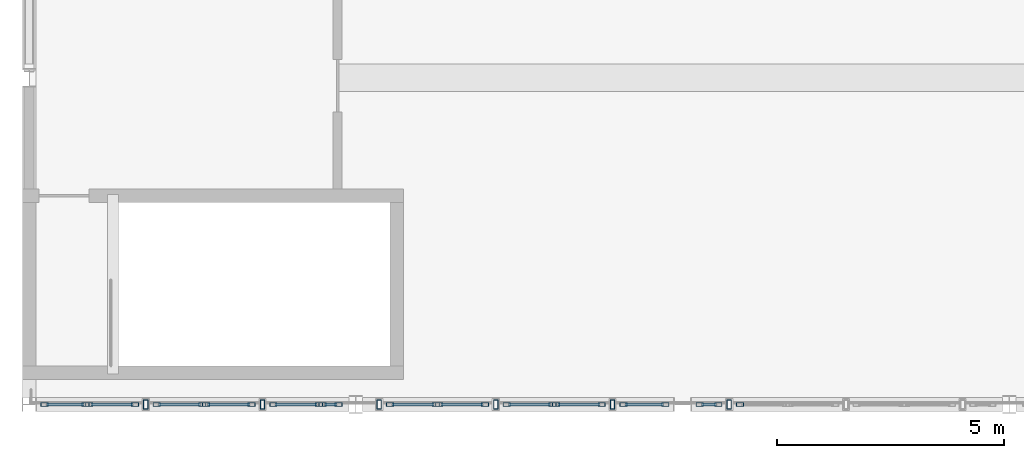
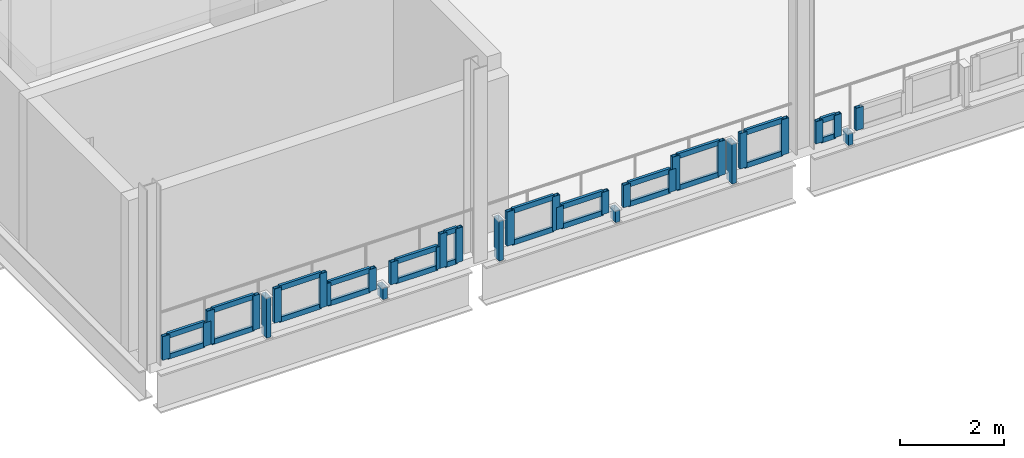
# One storey, part 5 of 20: 55 members, 13 elements without a shape of their own.
"""IFC4 building model written with IfcOpenShell, lengths in metres."""

from ifc_helpers import new_model, si_unit, direction, frame, origin, origin_2d, place, context, subcontext, project, spatial, hollow_rectangle, extrude, material, layer, layer_set, material_profile, profile_set, type_object, element, aggregate, save


model = new_model("IFC4")

# Units and contexts
model_context = context("Model", 3, precision=1e-05, world=origin(), true_north=direction((0.0, 1.0)))
body_context = subcontext(model_context, "Body", "Model", "MODEL_VIEW")
ifc_project = project(units=[si_unit("LENGTHUNIT", "METRE"), si_unit("AREAUNIT", "SQUARE_METRE"), si_unit("VOLUMEUNIT", "CUBIC_METRE"), si_unit("PLANEANGLEUNIT", "RADIAN"), si_unit("MASSUNIT", "GRAM", prefix="KILO"), si_unit("THERMODYNAMICTEMPERATUREUNIT", "KELVIN"), si_unit("POWERUNIT", "WATT")], contexts=[model_context])

# Site, building, storey
site_placement = place(None, origin())
site = spatial("IfcSite", under=ifc_project, at=site_placement, CompositionType="ELEMENT")
building_placement = place(site_placement, origin())
building = spatial("IfcBuilding", under=site, at=building_placement, Name="Kaldorven Railside Theatre", CompositionType="ELEMENT")
storey_placement = place(building_placement, frame((0.0, 0.0, 23.10009765625)))
storey = spatial("IfcBuildingStorey", under=building, at=storey_placement, Name="L05", CompositionType="ELEMENT", Elevation=23.10009765625)

# Curtain wall, members
ifc_material_1 = material(Name="Low-E laminated solar-control glass", Category="glass")
ifc_layer_1 = layer(ifc_material_1, 0.159912109375, Name="Low-E laminated solar-control glass")
ifc_layer_set_1 = layer_set([ifc_layer_1], Name="Low-E laminated solar-control glass")
curtain_wall_type_1 = type_object("IfcCurtainWallType", Name="CWT-41", PredefinedType="USERDEFINED", material=ifc_layer_set_1)
curtain_wall_1_placement = place(storey_placement, origin())
curtain_wall_1 = element("IfcCurtainWall", 1, at=curtain_wall_1_placement, inside=storey, type_object=curtain_wall_type_1, Name="Main Theatre North Ridge Clerestory CWG-033", ObjectType="FLUTED GLAZING", PredefinedType="USERDEFINED")
ifc_material_2 = material(Name="Anodised bronze aluminium", Category="aluminium")
ifc_material_profile_1 = material_profile(ifc_material_2, hollow_rectangle(XDim=0.080078125, YDim=0.159912109375, WallThickness=0.00634765625, at=origin_2d()), Name="RHS 160x80x6.3")
ifc_profile_set_1 = profile_set([ifc_material_profile_1], Name="Anodised bronze aluminium")
member_type_1 = type_object("IfcMemberType", Name="CWM-160", PredefinedType="MULLION", material=ifc_profile_set_1)
member_1_placement = place(storey_placement, frame((87.540283203125, 84.0, 0.02001953125), z_axis=(0.0, 0.0, 1.0), x_axis=(0.0, 1.0, 0.0)))
member_1 = element("IfcMember", 2, at=member_1_placement, type_object=member_type_1, Name="CWG-033 mullion 1", PredefinedType="MULLION", context=body_context, shape_type="SweptSolid", body=[
    extrude(hollow_rectangle(XDim=0.080078125, YDim=0.159912109375, WallThickness=0.00634765625, at=origin_2d()), origin(), (0.0, 0.0, 1.0), 0.5498046875),
])
member_2_placement = place(storey_placement, frame((88.44580078125, 84.0, 0.02001953125), z_axis=(0.0, 0.0, 1.0), x_axis=(0.0, 1.0, 0.0)))
member_2 = element("IfcMember", 3, at=member_2_placement, type_object=member_type_1, Name="CWG-033 mullion 2", PredefinedType="MULLION", context=body_context, shape_type="SweptSolid", body=[
    extrude(hollow_rectangle(XDim=0.080078125, YDim=0.159912109375, WallThickness=0.00634765625, at=origin_2d()), origin(), (0.0, 0.0, 1.0), 0.5498046875),
])

ifc_layer_2 = layer(ifc_material_1, 0.159912109375, Name="Low-E laminated solar-control glass")
ifc_layer_set_2 = layer_set([ifc_layer_2], Name="Low-E laminated solar-control glass")
curtain_wall_type_2 = type_object("IfcCurtainWallType", Name="CWT-42", PredefinedType="USERDEFINED", material=ifc_layer_set_2)
curtain_wall_2_placement = place(storey_placement, origin())
curtain_wall_2 = element("IfcCurtainWall", 4, at=curtain_wall_2_placement, inside=storey, type_object=curtain_wall_type_2, Name="Main Theatre North Ridge Clerestory CWG-034", ObjectType="FLUTED GLAZING", PredefinedType="USERDEFINED")
member_3_placement = place(storey_placement, frame((88.525634765625, 84.0, 0.02001953125), z_axis=(0.0, 0.0, 1.0), x_axis=(0.0, 1.0, 0.0)))
member_3 = element("IfcMember", 5, at=member_3_placement, type_object=member_type_1, Name="CWG-034 mullion 1", PredefinedType="MULLION", context=body_context, shape_type="SweptSolid", body=[
    extrude(hollow_rectangle(XDim=0.080078125, YDim=0.159912109375, WallThickness=0.00634765625, at=origin_2d()), origin(), (0.0, 0.0, 1.0), 0.7998046875),
])
member_4_placement = place(storey_placement, frame((89.531494140625, 84.0, 0.02001953125), z_axis=(0.0, 0.0, 1.0), x_axis=(0.0, 1.0, 0.0)))
member_4 = element("IfcMember", 6, at=member_4_placement, type_object=member_type_1, Name="CWG-034 mullion 2", PredefinedType="MULLION", context=body_context, shape_type="SweptSolid", body=[
    extrude(hollow_rectangle(XDim=0.080078125, YDim=0.159912109375, WallThickness=0.00634765625, at=origin_2d()), origin(), (0.0, 0.0, 1.0), 0.7998046875),
])

curtain_wall_3_placement = place(storey_placement, origin())
curtain_wall_3 = element("IfcCurtainWall", 7, at=curtain_wall_3_placement, inside=storey, type_object=curtain_wall_type_2, Name="Main Theatre North Ridge Clerestory CWG-035", ObjectType="FLUTED GLAZING", PredefinedType="USERDEFINED")
member_5_placement = place(storey_placement, frame((90.011474609375, 84.0, 0.02001953125), z_axis=(0.0, 0.0, 1.0), x_axis=(0.0, 1.0, 0.0)))
member_5 = element("IfcMember", 8, at=member_5_placement, type_object=member_type_1, Name="CWG-035 mullion 1", PredefinedType="MULLION", context=body_context, shape_type="SweptSolid", body=[
    extrude(hollow_rectangle(XDim=0.080078125, YDim=0.159912109375, WallThickness=0.00634765625, at=origin_2d()), origin(), (0.0, 0.0, 1.0), 0.7998046875),
])
member_6_placement = place(storey_placement, frame((91.01708984375, 84.0, 0.02001953125), z_axis=(0.0, 0.0, 1.0), x_axis=(0.0, 1.0, 0.0)))
member_6 = element("IfcMember", 9, at=member_6_placement, type_object=member_type_1, Name="CWG-035 mullion 2", PredefinedType="MULLION", context=body_context, shape_type="SweptSolid", body=[
    extrude(hollow_rectangle(XDim=0.080078125, YDim=0.159912109375, WallThickness=0.00634765625, at=origin_2d()), origin(), (0.0, 0.0, 1.0), 0.7998046875),
])

ifc_layer_3 = layer(ifc_material_1, 0.159912109375, Name="Low-E laminated solar-control glass")
ifc_layer_set_3 = layer_set([ifc_layer_3], Name="Low-E laminated solar-control glass")
curtain_wall_type_3 = type_object("IfcCurtainWallType", Name="CWT-43", PredefinedType="USERDEFINED", material=ifc_layer_set_3)
curtain_wall_4_placement = place(storey_placement, origin())
curtain_wall_4 = element("IfcCurtainWall", 10, at=curtain_wall_4_placement, inside=storey, type_object=curtain_wall_type_3, Name="Main Theatre North Ridge Clerestory CWG-036", ObjectType="FLUTED GLAZING", PredefinedType="USERDEFINED")
member_7_placement = place(storey_placement, frame((91.09716796875, 84.0, 0.02001953125), z_axis=(0.0, 0.0, 1.0), x_axis=(0.0, 1.0, 0.0)))
member_7 = element("IfcMember", 11, at=member_7_placement, type_object=member_type_1, Name="CWG-036 mullion 1", PredefinedType="MULLION", context=body_context, shape_type="SweptSolid", body=[
    extrude(hollow_rectangle(XDim=0.080078125, YDim=0.159912109375, WallThickness=0.00634765625, at=origin_2d()), origin(), (0.0, 0.0, 1.0), 0.519775390625),
])
member_8_placement = place(storey_placement, frame((92.102783203125, 84.0, 0.02001953125), z_axis=(0.0, 0.0, 1.0), x_axis=(0.0, 1.0, 0.0)))
member_8 = element("IfcMember", 12, at=member_8_placement, type_object=member_type_1, Name="CWG-036 mullion 2", PredefinedType="MULLION", context=body_context, shape_type="SweptSolid", body=[
    extrude(hollow_rectangle(XDim=0.080078125, YDim=0.159912109375, WallThickness=0.00634765625, at=origin_2d()), origin(), (0.0, 0.0, 1.0), 0.519775390625),
])

curtain_wall_5_placement = place(storey_placement, origin())
curtain_wall_5 = element("IfcCurtainWall", 13, at=curtain_wall_5_placement, inside=storey, type_object=curtain_wall_type_3, Name="Main Theatre North Ridge Clerestory CWG-037", ObjectType="FLUTED GLAZING", PredefinedType="USERDEFINED")
member_9_placement = place(storey_placement, frame((92.5830078125, 84.0, 0.02001953125), z_axis=(0.0, 0.0, 1.0), x_axis=(0.0, 1.0, 0.0)))
member_9 = element("IfcMember", 14, at=member_9_placement, type_object=member_type_1, Name="CWG-037 mullion 1", PredefinedType="MULLION", context=body_context, shape_type="SweptSolid", body=[
    extrude(hollow_rectangle(XDim=0.080078125, YDim=0.159912109375, WallThickness=0.00634765625, at=origin_2d()), origin(), (0.0, 0.0, 1.0), 0.519775390625),
])
member_10_placement = place(storey_placement, frame((93.588623046875, 84.0, 0.02001953125), z_axis=(0.0, 0.0, 1.0), x_axis=(0.0, 1.0, 0.0)))
member_10 = element("IfcMember", 15, at=member_10_placement, type_object=member_type_1, Name="CWG-037 mullion 2", PredefinedType="MULLION", context=body_context, shape_type="SweptSolid", body=[
    extrude(hollow_rectangle(XDim=0.080078125, YDim=0.159912109375, WallThickness=0.00634765625, at=origin_2d()), origin(), (0.0, 0.0, 1.0), 0.519775390625),
])

ifc_layer_4 = layer(ifc_material_1, 0.159912109375, Name="Low-E laminated solar-control glass")
ifc_layer_set_4 = layer_set([ifc_layer_4], Name="Low-E laminated solar-control glass")
curtain_wall_type_4 = type_object("IfcCurtainWallType", Name="CWT-44", PredefinedType="USERDEFINED", material=ifc_layer_set_4)
curtain_wall_6_placement = place(storey_placement, origin())
curtain_wall_6 = element("IfcCurtainWall", 16, at=curtain_wall_6_placement, inside=storey, type_object=curtain_wall_type_4, Name="Main Theatre North Ridge Clerestory CWG-038", ObjectType="FLUTED GLAZING", PredefinedType="USERDEFINED")
member_11_placement = place(storey_placement, frame((93.668701171875, 84.0, 0.02001953125), z_axis=(0.0, 0.0, 1.0), x_axis=(0.0, 1.0, 0.0)))
member_11 = element("IfcMember", 17, at=member_11_placement, type_object=member_type_1, Name="CWG-038 mullion 1", PredefinedType="MULLION", context=body_context, shape_type="SweptSolid", body=[
    extrude(hollow_rectangle(XDim=0.080078125, YDim=0.159912109375, WallThickness=0.00634765625, at=origin_2d()), origin(), (0.0, 0.0, 1.0), 0.7998046875),
])
member_12_placement = place(storey_placement, frame((94.02001953125, 84.0, 0.02001953125), z_axis=(0.0, 0.0, 1.0), x_axis=(0.0, 1.0, 0.0)))
member_12 = element("IfcMember", 18, at=member_12_placement, type_object=member_type_1, Name="CWG-038 mullion 2", PredefinedType="MULLION", context=body_context, shape_type="SweptSolid", body=[
    extrude(hollow_rectangle(XDim=0.080078125, YDim=0.159912109375, WallThickness=0.00634765625, at=origin_2d()), origin(), (0.0, 0.0, 1.0), 0.7998046875),
])

curtain_wall_7_placement = place(storey_placement, origin())
curtain_wall_7 = element("IfcCurtainWall", 19, at=curtain_wall_7_placement, inside=storey, type_object=curtain_wall_type_2, Name="Main Theatre North Ridge Clerestory CWG-039", ObjectType="FLUTED GLAZING", PredefinedType="USERDEFINED")
member_13_placement = place(storey_placement, frame((95.154296875, 84.0, 0.02001953125), z_axis=(0.0, 0.0, 1.0), x_axis=(0.0, 1.0, 0.0)))
member_13 = element("IfcMember", 20, at=member_13_placement, type_object=member_type_1, Name="CWG-039 mullion 1", PredefinedType="MULLION", context=body_context, shape_type="SweptSolid", body=[
    extrude(hollow_rectangle(XDim=0.080078125, YDim=0.159912109375, WallThickness=0.00634765625, at=origin_2d()), origin(), (0.0, 0.0, 1.0), 0.7998046875),
])
member_14_placement = place(storey_placement, frame((96.159912109375, 84.0, 0.02001953125), z_axis=(0.0, 0.0, 1.0), x_axis=(0.0, 1.0, 0.0)))
member_14 = element("IfcMember", 21, at=member_14_placement, type_object=member_type_1, Name="CWG-039 mullion 2", PredefinedType="MULLION", context=body_context, shape_type="SweptSolid", body=[
    extrude(hollow_rectangle(XDim=0.080078125, YDim=0.159912109375, WallThickness=0.00634765625, at=origin_2d()), origin(), (0.0, 0.0, 1.0), 0.7998046875),
])

curtain_wall_8_placement = place(storey_placement, origin())
curtain_wall_8 = element("IfcCurtainWall", 22, at=curtain_wall_8_placement, inside=storey, type_object=curtain_wall_type_3, Name="Main Theatre North Ridge Clerestory CWG-040", ObjectType="FLUTED GLAZING", PredefinedType="USERDEFINED")
member_15_placement = place(storey_placement, frame((96.239990234375, 84.0, 0.02001953125), z_axis=(0.0, 0.0, 1.0), x_axis=(0.0, 1.0, 0.0)))
member_15 = element("IfcMember", 23, at=member_15_placement, type_object=member_type_1, Name="CWG-040 mullion 1", PredefinedType="MULLION", context=body_context, shape_type="SweptSolid", body=[
    extrude(hollow_rectangle(XDim=0.080078125, YDim=0.159912109375, WallThickness=0.00634765625, at=origin_2d()), origin(), (0.0, 0.0, 1.0), 0.519775390625),
])
member_16_placement = place(storey_placement, frame((97.24560546875, 84.0, 0.02001953125), z_axis=(0.0, 0.0, 1.0), x_axis=(0.0, 1.0, 0.0)))
member_16 = element("IfcMember", 24, at=member_16_placement, type_object=member_type_1, Name="CWG-040 mullion 2", PredefinedType="MULLION", context=body_context, shape_type="SweptSolid", body=[
    extrude(hollow_rectangle(XDim=0.080078125, YDim=0.159912109375, WallThickness=0.00634765625, at=origin_2d()), origin(), (0.0, 0.0, 1.0), 0.519775390625),
])

curtain_wall_9_placement = place(storey_placement, origin())
curtain_wall_9 = element("IfcCurtainWall", 25, at=curtain_wall_9_placement, inside=storey, type_object=curtain_wall_type_3, Name="Main Theatre North Ridge Clerestory CWG-041", ObjectType="FLUTED GLAZING", PredefinedType="USERDEFINED")
member_17_placement = place(storey_placement, frame((97.7255859375, 84.0, 0.02001953125), z_axis=(0.0, 0.0, 1.0), x_axis=(0.0, 1.0, 0.0)))
member_17 = element("IfcMember", 26, at=member_17_placement, type_object=member_type_1, Name="CWG-041 mullion 1", PredefinedType="MULLION", context=body_context, shape_type="SweptSolid", body=[
    extrude(hollow_rectangle(XDim=0.080078125, YDim=0.159912109375, WallThickness=0.00634765625, at=origin_2d()), origin(), (0.0, 0.0, 1.0), 0.519775390625),
])
member_18_placement = place(storey_placement, frame((98.7314453125, 84.0, 0.02001953125), z_axis=(0.0, 0.0, 1.0), x_axis=(0.0, 1.0, 0.0)))
member_18 = element("IfcMember", 27, at=member_18_placement, type_object=member_type_1, Name="CWG-041 mullion 2", PredefinedType="MULLION", context=body_context, shape_type="SweptSolid", body=[
    extrude(hollow_rectangle(XDim=0.080078125, YDim=0.159912109375, WallThickness=0.00634765625, at=origin_2d()), origin(), (0.0, 0.0, 1.0), 0.519775390625),
])

curtain_wall_10_placement = place(storey_placement, origin())
curtain_wall_10 = element("IfcCurtainWall", 28, at=curtain_wall_10_placement, inside=storey, type_object=curtain_wall_type_2, Name="Main Theatre North Ridge Clerestory CWG-042", ObjectType="FLUTED GLAZING", PredefinedType="USERDEFINED")
member_19_placement = place(storey_placement, frame((98.811279296875, 84.0, 0.02001953125), z_axis=(0.0, 0.0, 1.0), x_axis=(0.0, 1.0, 0.0)))
member_19 = element("IfcMember", 29, at=member_19_placement, type_object=member_type_1, Name="CWG-042 mullion 1", PredefinedType="MULLION", context=body_context, shape_type="SweptSolid", body=[
    extrude(hollow_rectangle(XDim=0.080078125, YDim=0.159912109375, WallThickness=0.00634765625, at=origin_2d()), origin(), (0.0, 0.0, 1.0), 0.7998046875),
])
member_20_placement = place(storey_placement, frame((99.817138671875, 84.0, 0.02001953125), z_axis=(0.0, 0.0, 1.0), x_axis=(0.0, 1.0, 0.0)))
member_20 = element("IfcMember", 30, at=member_20_placement, type_object=member_type_1, Name="CWG-042 mullion 2", PredefinedType="MULLION", context=body_context, shape_type="SweptSolid", body=[
    extrude(hollow_rectangle(XDim=0.080078125, YDim=0.159912109375, WallThickness=0.00634765625, at=origin_2d()), origin(), (0.0, 0.0, 1.0), 0.7998046875),
])

ifc_layer_5 = layer(ifc_material_1, 0.159912109375, Name="Low-E laminated solar-control glass")
ifc_layer_set_5 = layer_set([ifc_layer_5], Name="Low-E laminated solar-control glass")
curtain_wall_type_5 = type_object("IfcCurtainWallType", Name="CWT-45", PredefinedType="USERDEFINED", material=ifc_layer_set_5)
curtain_wall_11_placement = place(storey_placement, origin())
curtain_wall_11 = element("IfcCurtainWall", 31, at=curtain_wall_11_placement, inside=storey, type_object=curtain_wall_type_5, Name="Main Theatre North Ridge Clerestory CWG-043", ObjectType="FLUTED GLAZING", PredefinedType="USERDEFINED")
member_21_placement = place(storey_placement, frame((100.297119140625, 84.0, 0.02001953125), z_axis=(0.0, 0.0, 1.0), x_axis=(0.0, 1.0, 0.0)))
member_21 = element("IfcMember", 32, at=member_21_placement, type_object=member_type_1, Name="CWG-043 mullion 1", PredefinedType="MULLION", context=body_context, shape_type="SweptSolid", body=[
    extrude(hollow_rectangle(XDim=0.080078125, YDim=0.159912109375, WallThickness=0.00634765625, at=origin_2d()), origin(), (0.0, 0.0, 1.0), 0.829833984375),
])
member_22_placement = place(storey_placement, frame((101.219970703125, 84.0, 0.02001953125), z_axis=(0.0, 0.0, 1.0), x_axis=(0.0, 1.0, 0.0)))
member_22 = element("IfcMember", 33, at=member_22_placement, type_object=member_type_1, Name="CWG-043 mullion 2", PredefinedType="MULLION", context=body_context, shape_type="SweptSolid", body=[
    extrude(hollow_rectangle(XDim=0.080078125, YDim=0.159912109375, WallThickness=0.00634765625, at=origin_2d()), origin(), (0.0, 0.0, 1.0), 0.829833984375),
])

ifc_layer_6 = layer(ifc_material_1, 0.159912109375, Name="Low-E laminated solar-control glass")
ifc_layer_set_6 = layer_set([ifc_layer_6], Name="Low-E laminated solar-control glass")
curtain_wall_type_6 = type_object("IfcCurtainWallType", Name="CWT-46", PredefinedType="USERDEFINED", material=ifc_layer_set_6)
curtain_wall_12_placement = place(storey_placement, origin())
curtain_wall_12 = element("IfcCurtainWall", 34, at=curtain_wall_12_placement, inside=storey, type_object=curtain_wall_type_6, Name="Main Theatre North Ridge Clerestory CWG-044", ObjectType="FLUTED GLAZING", PredefinedType="USERDEFINED")
member_23_placement = place(storey_placement, frame((101.97998046875, 84.0, 0.02001953125), z_axis=(0.0, 0.0, 1.0), x_axis=(0.0, 1.0, 0.0)))
member_23 = element("IfcMember", 35, at=member_23_placement, type_object=member_type_1, Name="CWG-044 mullion 1", PredefinedType="MULLION", context=body_context, shape_type="SweptSolid", body=[
    extrude(hollow_rectangle(XDim=0.080078125, YDim=0.159912109375, WallThickness=0.00634765625, at=origin_2d()), origin(), (0.0, 0.0, 1.0), 0.519775390625),
])
member_24_placement = place(storey_placement, frame((102.388671875, 84.0, 0.02001953125), z_axis=(0.0, 0.0, 1.0), x_axis=(0.0, 1.0, 0.0)))
member_24 = element("IfcMember", 36, at=member_24_placement, type_object=member_type_1, Name="CWG-044 mullion 2", PredefinedType="MULLION", context=body_context, shape_type="SweptSolid", body=[
    extrude(hollow_rectangle(XDim=0.080078125, YDim=0.159912109375, WallThickness=0.00634765625, at=origin_2d()), origin(), (0.0, 0.0, 1.0), 0.519775390625),
])

# Curtain wall, member
curtain_wall_13_placement = place(storey_placement, origin())
curtain_wall_13 = element("IfcCurtainWall", 37, at=curtain_wall_13_placement, inside=storey, type_object=curtain_wall_type_3, Name="Main Theatre North Ridge Clerestory CWG-045", ObjectType="FLUTED GLAZING", PredefinedType="USERDEFINED")
member_25_placement = place(storey_placement, frame((102.86865234375, 84.0, 0.02001953125), z_axis=(0.0, 0.0, 1.0), x_axis=(0.0, 1.0, 0.0)))
member_25 = element("IfcMember", 38, at=member_25_placement, type_object=member_type_1, Name="CWG-045 mullion 1", PredefinedType="MULLION", context=body_context, shape_type="SweptSolid", body=[
    extrude(hollow_rectangle(XDim=0.080078125, YDim=0.159912109375, WallThickness=0.00634765625, at=origin_2d()), origin(), (0.0, 0.0, 1.0), 0.519775390625),
])
aggregate(curtain_wall_13, [member_25])

# Member
ifc_material_profile_2 = material_profile(ifc_material_2, hollow_rectangle(XDim=0.06005859375, YDim=0.1201171875, WallThickness=0.0048828125, at=origin_2d()), Name="RHS 120x60x5")
ifc_profile_set_2 = profile_set([ifc_material_profile_2], Name="Anodised bronze aluminium")
member_type_2 = type_object("IfcMemberType", Name="CWT-120", PredefinedType="USERDEFINED", material=ifc_profile_set_2)
member_26_placement = place(storey_placement, frame((87.580322265625, 84.0, 0.0498046875), z_axis=(1.0, 0.0, 0.0), x_axis=(0.0, 1.0, 0.0)))
member_26 = element("IfcMember", 39, at=member_26_placement, type_object=member_type_2, Name="CWG-033 transom 1.1", ObjectType="TRANSOM", PredefinedType="USERDEFINED", context=body_context, shape_type="SweptSolid", body=[
    extrude(hollow_rectangle(XDim=0.06005859375, YDim=0.1201171875, WallThickness=0.0048828125, at=origin_2d()), origin(), (0.0, 0.0, 1.0), 0.825439453125),
])

member_27_placement = place(storey_placement, frame((87.580322265625, 84.0, 0.539794921875), z_axis=(1.0, 0.0, 0.0), x_axis=(0.0, 1.0, 0.0)))
member_27 = element("IfcMember", 40, at=member_27_placement, type_object=member_type_2, Name="CWG-033 transom 1.2", ObjectType="TRANSOM", PredefinedType="USERDEFINED", context=body_context, shape_type="SweptSolid", body=[
    extrude(hollow_rectangle(XDim=0.06005859375, YDim=0.1201171875, WallThickness=0.0048828125, at=origin_2d()), origin(), (0.0, 0.0, 1.0), 0.825439453125),
])

aggregate(curtain_wall_1, [member_1, member_2, member_26, member_27])

member_28_placement = place(storey_placement, frame((88.565673828125, 84.0, 0.0498046875), z_axis=(1.0, 0.0, 0.0), x_axis=(0.0, 1.0, 0.0)))
member_28 = element("IfcMember", 41, at=member_28_placement, type_object=member_type_2, Name="CWG-034 transom 1.1", ObjectType="TRANSOM", PredefinedType="USERDEFINED", context=body_context, shape_type="SweptSolid", body=[
    extrude(hollow_rectangle(XDim=0.06005859375, YDim=0.1201171875, WallThickness=0.0048828125, at=origin_2d()), origin(), (0.0, 0.0, 1.0), 0.92578125),
])

member_29_placement = place(storey_placement, frame((88.565673828125, 84.0, 0.789794921875), z_axis=(1.0, 0.0, 0.0), x_axis=(0.0, 1.0, 0.0)))
member_29 = element("IfcMember", 42, at=member_29_placement, type_object=member_type_2, Name="CWG-034 transom 1.2", ObjectType="TRANSOM", PredefinedType="USERDEFINED", context=body_context, shape_type="SweptSolid", body=[
    extrude(hollow_rectangle(XDim=0.06005859375, YDim=0.1201171875, WallThickness=0.0048828125, at=origin_2d()), origin(), (0.0, 0.0, 1.0), 0.92578125),
])

aggregate(curtain_wall_2, [member_3, member_4, member_28, member_29])

member_30_placement = place(storey_placement, frame((90.051513671875, 84.0, 0.0498046875), z_axis=(1.0, 0.0, 0.0), x_axis=(0.0, 1.0, 0.0)))
member_30 = element("IfcMember", 43, at=member_30_placement, type_object=member_type_2, Name="CWG-035 transom 1.1", ObjectType="TRANSOM", PredefinedType="USERDEFINED", context=body_context, shape_type="SweptSolid", body=[
    extrude(hollow_rectangle(XDim=0.06005859375, YDim=0.1201171875, WallThickness=0.0048828125, at=origin_2d()), origin(), (0.0, 0.0, 1.0), 0.925537109375),
])

member_31_placement = place(storey_placement, frame((90.051513671875, 84.0, 0.789794921875), z_axis=(1.0, 0.0, 0.0), x_axis=(0.0, 1.0, 0.0)))
member_31 = element("IfcMember", 44, at=member_31_placement, type_object=member_type_2, Name="CWG-035 transom 1.2", ObjectType="TRANSOM", PredefinedType="USERDEFINED", context=body_context, shape_type="SweptSolid", body=[
    extrude(hollow_rectangle(XDim=0.06005859375, YDim=0.1201171875, WallThickness=0.0048828125, at=origin_2d()), origin(), (0.0, 0.0, 1.0), 0.925537109375),
])

aggregate(curtain_wall_3, [member_5, member_6, member_30, member_31])

member_32_placement = place(storey_placement, frame((91.13720703125, 84.0, 0.0498046875), z_axis=(1.0, 0.0, 0.0), x_axis=(0.0, 1.0, 0.0)))
member_32 = element("IfcMember", 45, at=member_32_placement, type_object=member_type_2, Name="CWG-036 transom 1.1", ObjectType="TRANSOM", PredefinedType="USERDEFINED", context=body_context, shape_type="SweptSolid", body=[
    extrude(hollow_rectangle(XDim=0.06005859375, YDim=0.1201171875, WallThickness=0.0048828125, at=origin_2d()), origin(), (0.0, 0.0, 1.0), 0.92578125),
])

member_33_placement = place(storey_placement, frame((91.13720703125, 84.0, 0.510009765625), z_axis=(1.0, 0.0, 0.0), x_axis=(0.0, 1.0, 0.0)))
member_33 = element("IfcMember", 46, at=member_33_placement, type_object=member_type_2, Name="CWG-036 transom 1.2", ObjectType="TRANSOM", PredefinedType="USERDEFINED", context=body_context, shape_type="SweptSolid", body=[
    extrude(hollow_rectangle(XDim=0.06005859375, YDim=0.1201171875, WallThickness=0.0048828125, at=origin_2d()), origin(), (0.0, 0.0, 1.0), 0.92578125),
])

aggregate(curtain_wall_4, [member_7, member_8, member_32, member_33])

member_34_placement = place(storey_placement, frame((92.622802734375, 84.0, 0.0498046875), z_axis=(1.0, 0.0, 0.0), x_axis=(0.0, 1.0, 0.0)))
member_34 = element("IfcMember", 47, at=member_34_placement, type_object=member_type_2, Name="CWG-037 transom 1.1", ObjectType="TRANSOM", PredefinedType="USERDEFINED", context=body_context, shape_type="SweptSolid", body=[
    extrude(hollow_rectangle(XDim=0.06005859375, YDim=0.1201171875, WallThickness=0.0048828125, at=origin_2d()), origin(), (0.0, 0.0, 1.0), 0.92578125),
])

member_35_placement = place(storey_placement, frame((92.622802734375, 84.0, 0.510009765625), z_axis=(1.0, 0.0, 0.0), x_axis=(0.0, 1.0, 0.0)))
member_35 = element("IfcMember", 48, at=member_35_placement, type_object=member_type_2, Name="CWG-037 transom 1.2", ObjectType="TRANSOM", PredefinedType="USERDEFINED", context=body_context, shape_type="SweptSolid", body=[
    extrude(hollow_rectangle(XDim=0.06005859375, YDim=0.1201171875, WallThickness=0.0048828125, at=origin_2d()), origin(), (0.0, 0.0, 1.0), 0.92578125),
])

aggregate(curtain_wall_5, [member_9, member_10, member_34, member_35])

member_36_placement = place(storey_placement, frame((93.70849609375, 84.0, 0.0498046875), z_axis=(1.0, 0.0, 0.0), x_axis=(0.0, 1.0, 0.0)))
member_36 = element("IfcMember", 49, at=member_36_placement, type_object=member_type_2, Name="CWG-038 transom 1.1", ObjectType="TRANSOM", PredefinedType="USERDEFINED", context=body_context, shape_type="SweptSolid", body=[
    extrude(hollow_rectangle(XDim=0.06005859375, YDim=0.1201171875, WallThickness=0.0048828125, at=origin_2d()), origin(), (0.0, 0.0, 1.0), 0.271484375),
])

member_37_placement = place(storey_placement, frame((93.70849609375, 84.0, 0.789794921875), z_axis=(1.0, 0.0, 0.0), x_axis=(0.0, 1.0, 0.0)))
member_37 = element("IfcMember", 50, at=member_37_placement, type_object=member_type_2, Name="CWG-038 transom 1.2", ObjectType="TRANSOM", PredefinedType="USERDEFINED", context=body_context, shape_type="SweptSolid", body=[
    extrude(hollow_rectangle(XDim=0.06005859375, YDim=0.1201171875, WallThickness=0.0048828125, at=origin_2d()), origin(), (0.0, 0.0, 1.0), 0.271484375),
])

aggregate(curtain_wall_6, [member_11, member_12, member_36, member_37])

member_38_placement = place(storey_placement, frame((95.1943359375, 84.0, 0.0498046875), z_axis=(1.0, 0.0, 0.0), x_axis=(0.0, 1.0, 0.0)))
member_38 = element("IfcMember", 51, at=member_38_placement, type_object=member_type_2, Name="CWG-039 transom 1.1", ObjectType="TRANSOM", PredefinedType="USERDEFINED", context=body_context, shape_type="SweptSolid", body=[
    extrude(hollow_rectangle(XDim=0.06005859375, YDim=0.1201171875, WallThickness=0.0048828125, at=origin_2d()), origin(), (0.0, 0.0, 1.0), 0.92578125),
])

member_39_placement = place(storey_placement, frame((95.1943359375, 84.0, 0.789794921875), z_axis=(1.0, 0.0, 0.0), x_axis=(0.0, 1.0, 0.0)))
member_39 = element("IfcMember", 52, at=member_39_placement, type_object=member_type_2, Name="CWG-039 transom 1.2", ObjectType="TRANSOM", PredefinedType="USERDEFINED", context=body_context, shape_type="SweptSolid", body=[
    extrude(hollow_rectangle(XDim=0.06005859375, YDim=0.1201171875, WallThickness=0.0048828125, at=origin_2d()), origin(), (0.0, 0.0, 1.0), 0.92578125),
])

aggregate(curtain_wall_7, [member_13, member_14, member_38, member_39])

member_40_placement = place(storey_placement, frame((96.280029296875, 84.0, 0.0498046875), z_axis=(1.0, 0.0, 0.0), x_axis=(0.0, 1.0, 0.0)))
member_40 = element("IfcMember", 53, at=member_40_placement, type_object=member_type_2, Name="CWG-040 transom 1.1", ObjectType="TRANSOM", PredefinedType="USERDEFINED", context=body_context, shape_type="SweptSolid", body=[
    extrude(hollow_rectangle(XDim=0.06005859375, YDim=0.1201171875, WallThickness=0.0048828125, at=origin_2d()), origin(), (0.0, 0.0, 1.0), 0.92578125),
])

member_41_placement = place(storey_placement, frame((96.280029296875, 84.0, 0.510009765625), z_axis=(1.0, 0.0, 0.0), x_axis=(0.0, 1.0, 0.0)))
member_41 = element("IfcMember", 54, at=member_41_placement, type_object=member_type_2, Name="CWG-040 transom 1.2", ObjectType="TRANSOM", PredefinedType="USERDEFINED", context=body_context, shape_type="SweptSolid", body=[
    extrude(hollow_rectangle(XDim=0.06005859375, YDim=0.1201171875, WallThickness=0.0048828125, at=origin_2d()), origin(), (0.0, 0.0, 1.0), 0.92578125),
])

aggregate(curtain_wall_8, [member_15, member_16, member_40, member_41])

member_42_placement = place(storey_placement, frame((97.765625, 84.0, 0.0498046875), z_axis=(1.0, 0.0, 0.0), x_axis=(0.0, 1.0, 0.0)))
member_42 = element("IfcMember", 55, at=member_42_placement, type_object=member_type_2, Name="CWG-041 transom 1.1", ObjectType="TRANSOM", PredefinedType="USERDEFINED", context=body_context, shape_type="SweptSolid", body=[
    extrude(hollow_rectangle(XDim=0.06005859375, YDim=0.1201171875, WallThickness=0.0048828125, at=origin_2d()), origin(), (0.0, 0.0, 1.0), 0.92578125),
])

member_43_placement = place(storey_placement, frame((97.765625, 84.0, 0.510009765625), z_axis=(1.0, 0.0, 0.0), x_axis=(0.0, 1.0, 0.0)))
member_43 = element("IfcMember", 56, at=member_43_placement, type_object=member_type_2, Name="CWG-041 transom 1.2", ObjectType="TRANSOM", PredefinedType="USERDEFINED", context=body_context, shape_type="SweptSolid", body=[
    extrude(hollow_rectangle(XDim=0.06005859375, YDim=0.1201171875, WallThickness=0.0048828125, at=origin_2d()), origin(), (0.0, 0.0, 1.0), 0.92578125),
])

aggregate(curtain_wall_9, [member_17, member_18, member_42, member_43])

member_44_placement = place(storey_placement, frame((98.851318359375, 84.0, 0.0498046875), z_axis=(1.0, 0.0, 0.0), x_axis=(0.0, 1.0, 0.0)))
member_44 = element("IfcMember", 57, at=member_44_placement, type_object=member_type_2, Name="CWG-042 transom 1.1", ObjectType="TRANSOM", PredefinedType="USERDEFINED", context=body_context, shape_type="SweptSolid", body=[
    extrude(hollow_rectangle(XDim=0.06005859375, YDim=0.1201171875, WallThickness=0.0048828125, at=origin_2d()), origin(), (0.0, 0.0, 1.0), 0.92578125),
])

member_45_placement = place(storey_placement, frame((98.851318359375, 84.0, 0.789794921875), z_axis=(1.0, 0.0, 0.0), x_axis=(0.0, 1.0, 0.0)))
member_45 = element("IfcMember", 58, at=member_45_placement, type_object=member_type_2, Name="CWG-042 transom 1.2", ObjectType="TRANSOM", PredefinedType="USERDEFINED", context=body_context, shape_type="SweptSolid", body=[
    extrude(hollow_rectangle(XDim=0.06005859375, YDim=0.1201171875, WallThickness=0.0048828125, at=origin_2d()), origin(), (0.0, 0.0, 1.0), 0.92578125),
])

aggregate(curtain_wall_10, [member_19, member_20, member_44, member_45])

member_46_placement = place(storey_placement, frame((100.337158203125, 84.0, 0.0498046875), z_axis=(1.0, 0.0, 0.0), x_axis=(0.0, 1.0, 0.0)))
member_46 = element("IfcMember", 59, at=member_46_placement, type_object=member_type_2, Name="CWG-043 transom 1.1", ObjectType="TRANSOM", PredefinedType="USERDEFINED", context=body_context, shape_type="SweptSolid", body=[
    extrude(hollow_rectangle(XDim=0.06005859375, YDim=0.1201171875, WallThickness=0.0048828125, at=origin_2d()), origin(), (0.0, 0.0, 1.0), 0.8427734375),
])

member_47_placement = place(storey_placement, frame((100.337158203125, 84.0, 0.81982421875), z_axis=(1.0, 0.0, 0.0), x_axis=(0.0, 1.0, 0.0)))
member_47 = element("IfcMember", 60, at=member_47_placement, type_object=member_type_2, Name="CWG-043 transom 1.2", ObjectType="TRANSOM", PredefinedType="USERDEFINED", context=body_context, shape_type="SweptSolid", body=[
    extrude(hollow_rectangle(XDim=0.06005859375, YDim=0.1201171875, WallThickness=0.0048828125, at=origin_2d()), origin(), (0.0, 0.0, 1.0), 0.8427734375),
])

aggregate(curtain_wall_11, [member_21, member_22, member_46, member_47])

member_48_placement = place(storey_placement, frame((102.02001953125, 84.0, 0.0498046875), z_axis=(1.0, 0.0, 0.0), x_axis=(0.0, 1.0, 0.0)))
member_48 = element("IfcMember", 61, at=member_48_placement, type_object=member_type_2, Name="CWG-044 transom 1.1", ObjectType="TRANSOM", PredefinedType="USERDEFINED", context=body_context, shape_type="SweptSolid", body=[
    extrude(hollow_rectangle(XDim=0.06005859375, YDim=0.1201171875, WallThickness=0.0048828125, at=origin_2d()), origin(), (0.0, 0.0, 1.0), 0.32861328125),
])

member_49_placement = place(storey_placement, frame((102.02001953125, 84.0, 0.510009765625), z_axis=(1.0, 0.0, 0.0), x_axis=(0.0, 1.0, 0.0)))
member_49 = element("IfcMember", 62, at=member_49_placement, type_object=member_type_2, Name="CWG-044 transom 1.2", ObjectType="TRANSOM", PredefinedType="USERDEFINED", context=body_context, shape_type="SweptSolid", body=[
    extrude(hollow_rectangle(XDim=0.06005859375, YDim=0.1201171875, WallThickness=0.0048828125, at=origin_2d()), origin(), (0.0, 0.0, 1.0), 0.32861328125),
])

aggregate(curtain_wall_12, [member_23, member_24, member_48, member_49])

# Members
ifc_material_3 = material(Name="Steel S355", Category="steel")
ifc_material_profile_3 = material_profile(ifc_material_3, hollow_rectangle(XDim=0.10009765625, YDim=0.199951171875, WallThickness=0.008056640625, at=origin_2d()), Name="RHS 200x100x8")
ifc_profile_set_3 = profile_set([ifc_material_profile_3], Name="Steel S355")
member_type_3 = type_object("IfcMemberType", Name="MEM-RHS200", PredefinedType="STRUT", material=ifc_profile_set_3)
member_50_placement = place(storey_placement, frame((89.771484375, 84.0, -0.22021484375), z_axis=(0.0, 0.0, 1.0), x_axis=(1.0, 0.0, 0.0)))
element("IfcMember", 63, at=member_50_placement, inside=storey, type_object=member_type_3, Name="V1 N Gable Roof Bearing Post", PredefinedType="STRUT", context=body_context, shape_type="SweptSolid", body=[
    extrude(hollow_rectangle(XDim=0.10009765625, YDim=0.199951171875, WallThickness=0.008056640625, at=origin_2d()), origin(), (0.0, 0.0, 1.0), 0.94140625),
])
member_51_placement = place(storey_placement, frame((92.343017578125, 84.0, -0.22021484375), z_axis=(0.0, 0.0, 1.0), x_axis=(1.0, 0.0, 0.0)))
element("IfcMember", 64, at=member_51_placement, inside=storey, type_object=member_type_3, Name="V1 N Gable Roof Bearing Post", PredefinedType="STRUT", context=body_context, shape_type="SweptSolid", body=[
    extrude(hollow_rectangle(XDim=0.10009765625, YDim=0.199951171875, WallThickness=0.008056640625, at=origin_2d()), origin(), (0.0, 0.0, 1.0), 0.2763671875),
])
member_52_placement = place(storey_placement, frame((94.914306640625, 84.0, -0.22021484375), z_axis=(0.0, 0.0, 1.0), x_axis=(1.0, 0.0, 0.0)))
element("IfcMember", 65, at=member_52_placement, inside=storey, type_object=member_type_3, Name="V1 N Gable Roof Bearing Post", PredefinedType="STRUT", context=body_context, shape_type="SweptSolid", body=[
    extrude(hollow_rectangle(XDim=0.10009765625, YDim=0.199951171875, WallThickness=0.008056640625, at=origin_2d()), origin(), (0.0, 0.0, 1.0), 0.94140625),
])
member_53_placement = place(storey_placement, frame((97.485595703125, 84.0, -0.22021484375), z_axis=(0.0, 0.0, 1.0), x_axis=(1.0, 0.0, 0.0)))
element("IfcMember", 66, at=member_53_placement, inside=storey, type_object=member_type_3, Name="V1 N Gable Roof Bearing Post", PredefinedType="STRUT", context=body_context, shape_type="SweptSolid", body=[
    extrude(hollow_rectangle(XDim=0.10009765625, YDim=0.199951171875, WallThickness=0.008056640625, at=origin_2d()), origin(), (0.0, 0.0, 1.0), 0.2763671875),
])
member_54_placement = place(storey_placement, frame((100.05712890625, 84.0, -0.22021484375), z_axis=(0.0, 0.0, 1.0), x_axis=(1.0, 0.0, 0.0)))
element("IfcMember", 67, at=member_54_placement, inside=storey, type_object=member_type_3, Name="V1 N Gable Roof Bearing Post", PredefinedType="STRUT", context=body_context, shape_type="SweptSolid", body=[
    extrude(hollow_rectangle(XDim=0.10009765625, YDim=0.199951171875, WallThickness=0.008056640625, at=origin_2d()), origin(), (0.0, 0.0, 1.0), 0.94140625),
])
member_55_placement = place(storey_placement, frame((102.628662109375, 84.0, -0.22021484375), z_axis=(0.0, 0.0, 1.0), x_axis=(1.0, 0.0, 0.0)))
element("IfcMember", 68, at=member_55_placement, inside=storey, type_object=member_type_3, Name="V1 N Gable Roof Bearing Post", PredefinedType="STRUT", context=body_context, shape_type="SweptSolid", body=[
    extrude(hollow_rectangle(XDim=0.10009765625, YDim=0.199951171875, WallThickness=0.008056640625, at=origin_2d()), origin(), (0.0, 0.0, 1.0), 0.2763671875),
])

save(model, "model.ifc")
